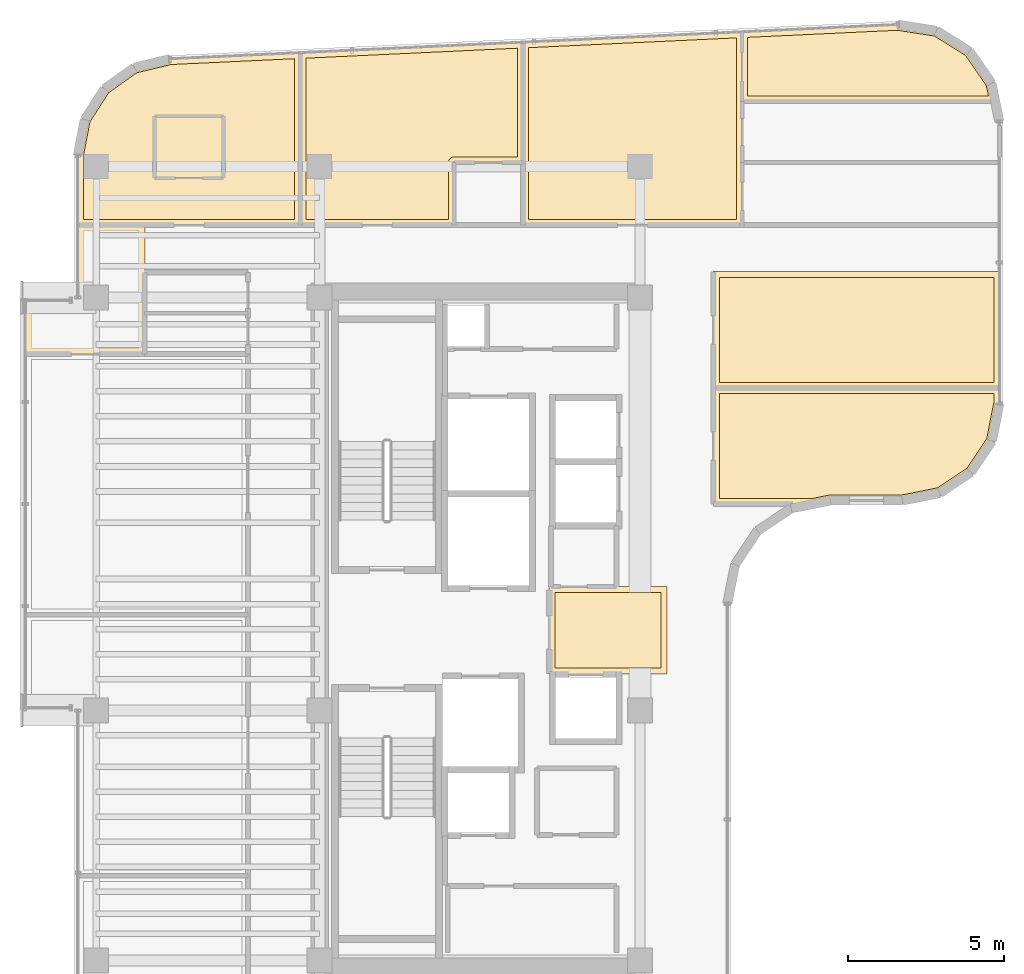
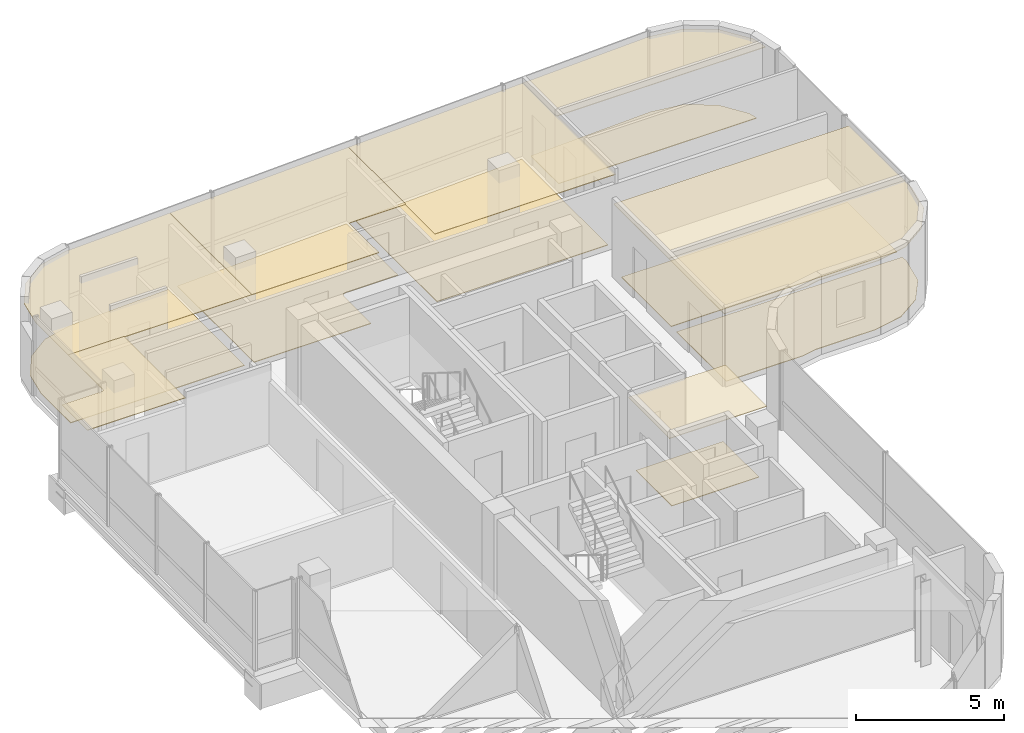
# One storey, part 18 of 18: 15 coverings.
"""IFC4 building model written with IfcOpenShell, lengths in metres."""

from ifc_helpers import new_model, si_unit, direction, frame, origin, place, context, subcontext, project, spatial, polyline, outline, extrude, material, layer, layer_set, type_object, element, save


model = new_model("IFC4")

# Units and contexts
model_context = context("Model", 3, precision=1e-05, world=origin(), true_north=direction((0.0, 1.0)))
body_context = subcontext(model_context, "Body", "Model", "MODEL_VIEW")
ifc_project = project(units=[si_unit("LENGTHUNIT", "METRE"), si_unit("AREAUNIT", "SQUARE_METRE"), si_unit("VOLUMEUNIT", "CUBIC_METRE"), si_unit("PLANEANGLEUNIT", "RADIAN"), si_unit("MASSUNIT", "GRAM", prefix="KILO")], contexts=[model_context])

# Site, building, storey
site_placement = place(None, origin())
site = spatial("IfcSite", under=ifc_project, at=site_placement, CompositionType="ELEMENT")
building_placement = place(site_placement, origin())
building = spatial("IfcBuilding", under=site, at=building_placement, Name="Valdorenza Pilgrim Sanctuary Tower", CompositionType="ELEMENT")
storey_placement = place(building_placement, frame((0.0, 0.0, 247.5)))
storey = spatial("IfcBuildingStorey", under=building, at=storey_placement, Name="L64", CompositionType="ELEMENT", Elevation=247.5)

# Coverings
ifc_material_1 = material(Name="Micro-perforated acoustic mineral ceiling tile", Category="gypsum")
ifc_layer_1 = layer(ifc_material_1, 0.02490234375, Name="Micro-perforated acoustic mineral ceiling tile")
ifc_layer_set_1 = layer_set([ifc_layer_1], Name="Micro-perforated acoustic mineral ceiling tile")
covering_type_1 = type_object("IfcCoveringType", Name="COV-CLG-ACU", PredefinedType="CEILING", material=ifc_layer_set_1)
covering_1_placement = place(storey_placement, frame((0.0, 0.0, 2.9599609375)))
element("IfcCovering", 1, at=covering_1_placement, inside=storey, type_object=covering_type_1, Name="L64 Core A Passenger Lift Lobby Acoustic Ceiling", PredefinedType="CEILING", context=body_context, shape_type="SweptSolid", body=[
    extrude(outline(polyline([(-15.31494140625, 1.35009765625), (-15.31494140625, 1.3515625), (-15.314697265625, 1.352783203125), (-15.314453125, 1.3544921875), (-15.31396484375, 1.355712890625), (-15.313232421875, 1.357177734375), (-15.3125, 1.3583984375), (-15.3115234375, 1.359619140625), (-15.310546875, 1.360595703125), (-15.3095703125, 1.361572265625), (-15.308349609375, 1.362548828125), (-15.30712890625, 1.36328125), (-15.3056640625, 1.364013671875), (-15.304443359375, 1.364501953125), (-15.302978515625, 1.36474609375), (-15.301513671875, 1.364990234375), (-15.300048828125, 1.364990234375), (-11.550048828125, 1.364990234375), (-11.548583984375, 1.364990234375), (-11.547119140625, 1.36474609375), (-11.545654296875, 1.364501953125), (-11.544189453125, 1.364013671875), (-11.54296875, 1.36328125), (-11.541748046875, 1.362548828125), (-11.54052734375, 1.361572265625), (-11.539306640625, 1.360595703125), (-11.538330078125, 1.359619140625), (-11.53759765625, 1.3583984375), (-11.536865234375, 1.357177734375), (-11.5361328125, 1.355712890625), (-11.53564453125, 1.3544921875), (-11.535400390625, 1.352783203125), (-11.53515625, 1.3515625), (-11.534912109375, 1.35009765625), (-11.534912109375, -1.419921875), (-11.53515625, -1.42138671875), (-11.535400390625, -1.4228515625), (-11.53564453125, -1.42431640625), (-11.5361328125, -1.42578125), (-11.536865234375, -1.427001953125), (-11.53759765625, -1.42822265625), (-11.538330078125, -1.429443359375), (-11.539306640625, -1.4306640625), (-11.54052734375, -1.431640625), (-11.541748046875, -1.4326171875), (-11.54296875, -1.43310546875), (-11.544189453125, -1.433837890625), (-11.545654296875, -1.434326171875), (-11.547119140625, -1.434814453125), (-11.548583984375, -1.434814453125), (-11.550048828125, -1.43505859375), (-15.298095703125, -1.43505859375), (-15.299560546875, -1.434814453125), (-15.30078125, -1.434814453125), (-15.302490234375, -1.434326171875), (-15.3037109375, -1.433837890625), (-15.30517578125, -1.43310546875), (-15.306396484375, -1.4326171875), (-15.3076171875, -1.431640625), (-15.30859375, -1.4306640625), (-15.3095703125, -1.429443359375), (-15.310546875, -1.42822265625), (-15.311279296875, -1.427001953125), (-15.31201171875, -1.42578125), (-15.3125, -1.42431640625), (-15.312744140625, -1.4228515625), (-15.31298828125, -1.42138671875), (-15.31298828125, -1.419921875), (-15.31298828125, 1.244384765625), (-15.31298828125, 1.24462890625), (-15.313720703125, 1.24609375), (-15.314208984375, 1.24755859375), (-15.314697265625, 1.2490234375), (-15.31494140625, 1.25048828125), (-15.31494140625, 1.251953125), (-15.31494140625, 1.35009765625)])), origin(), (0.0, 0.0, 1.0), 0.025146484375),
])
covering_2_placement = place(storey_placement, frame((0.0, 0.0, 2.9599609375)))
element("IfcCovering", 2, at=covering_2_placement, inside=storey, type_object=covering_type_1, Name="L64 Pilgrim Scholar Office L64-WN Acoustic Ceiling", PredefinedType="CEILING", context=body_context, shape_type="SweptSolid", body=[
    extrude(outline(polyline([(-28.237060546875, 11.39453125), (-28.237060546875, 10.103759765625), (-28.23681640625, 10.10302734375), (-28.23681640625, 10.1015625), (-28.23681640625, 10.10009765625), (-28.23681640625, 10.098388671875), (-28.237060546875, 10.09814453125), (-28.237060546875, 8.800048828125), (-28.237060546875, 8.798583984375), (-28.2373046875, 8.797119140625), (-28.237548828125, 8.795654296875), (-28.238037109375, 8.794189453125), (-28.23876953125, 8.79296875), (-28.239501953125, 8.791748046875), (-28.240478515625, 8.79052734375), (-28.241455078125, 8.789306640625), (-28.242431640625, 8.788330078125), (-28.24365234375, 8.78759765625), (-28.244873046875, 8.786865234375), (-28.246337890625, 8.7861328125), (-28.24755859375, 8.78564453125), (-28.2490234375, 8.785400390625), (-28.25048828125, 8.78515625), (-28.251953125, 8.784912109375), (-32.0400390625, 8.784912109375), (-32.04150390625, 8.78515625), (-32.04296875, 8.785400390625), (-32.04443359375, 8.78564453125), (-32.045654296875, 8.7861328125), (-32.047119140625, 8.786865234375), (-32.04833984375, 8.78759765625), (-32.049560546875, 8.788330078125), (-32.050537109375, 8.789306640625), (-32.051513671875, 8.79052734375), (-32.052490234375, 8.791748046875), (-32.05322265625, 8.79296875), (-32.053955078125, 8.794189453125), (-32.054443359375, 8.795654296875), (-32.0546875, 8.797119140625), (-32.054931640625, 8.798583984375), (-32.054931640625, 8.800048828125), (-32.054931640625, 10.489990234375), (-32.054931640625, 10.491455078125), (-32.0546875, 10.492919921875), (-32.054443359375, 10.494384765625), (-32.053955078125, 10.49560546875), (-32.05322265625, 10.4970703125), (-32.052490234375, 10.498291015625), (-32.051513671875, 10.49951171875), (-32.050537109375, 10.50048828125), (-32.049560546875, 10.501708984375), (-32.04833984375, 10.50244140625), (-32.047119140625, 10.503173828125), (-32.045654296875, 10.50390625), (-32.04443359375, 10.50439453125), (-32.04296875, 10.504638671875), (-32.04150390625, 10.5048828125), (-32.0400390625, 10.5048828125), (-30.50048828125, 10.5048828125), (-30.49072265625, 10.505615234375), (-30.4814453125, 10.5068359375), (-30.472412109375, 10.509033203125), (-30.463623046875, 10.51220703125), (-30.455078125, 10.51611328125), (-30.447265625, 10.52099609375), (-30.439697265625, 10.526611328125), (-30.432861328125, 10.53271484375), (-30.426513671875, 10.539794921875), (-30.4208984375, 10.547119140625), (-30.416259765625, 10.55517578125), (-30.412109375, 10.563720703125), (-30.4091796875, 10.572509765625), (-30.40673828125, 10.58154296875), (-30.405517578125, 10.5908203125), (-30.405029296875, 10.600341796875), (-30.405029296875, 12.919921875), (-30.40478515625, 12.92138671875), (-30.40478515625, 12.9228515625), (-30.404296875, 12.92431640625), (-30.40380859375, 12.92578125), (-30.4033203125, 12.927001953125), (-30.402587890625, 12.92822265625), (-30.401611328125, 12.929443359375), (-30.400634765625, 12.9306640625), (-30.3994140625, 12.931640625), (-30.398193359375, 12.9326171875), (-30.397216796875, 12.93310546875), (-30.395751953125, 12.933837890625), (-30.394287109375, 12.934326171875), (-30.392822265625, 12.934814453125), (-30.3916015625, 12.934814453125), (-30.389892578125, 12.93505859375), (-28.25, 12.93505859375), (-28.24853515625, 12.934814453125), (-28.2470703125, 12.934814453125), (-28.24560546875, 12.934326171875), (-28.244384765625, 12.933837890625), (-28.242919921875, 12.93310546875), (-28.24169921875, 12.9326171875), (-28.240478515625, 12.931640625), (-28.239501953125, 12.9306640625), (-28.23828125, 12.929443359375), (-28.237548828125, 12.92822265625), (-28.23681640625, 12.927001953125), (-28.236083984375, 12.92578125), (-28.235595703125, 12.92431640625), (-28.2353515625, 12.9228515625), (-28.235107421875, 12.92138671875), (-28.235107421875, 12.919921875), (-28.235107421875, 11.402099609375), (-28.235107421875, 11.400390625), (-28.2353515625, 11.39892578125), (-28.235595703125, 11.3974609375), (-28.236083984375, 11.39599609375), (-28.23681640625, 11.394775390625), (-28.237060546875, 11.39453125)])), origin(), (0.0, 0.0, 1.0), 0.025146484375),
])
covering_3_placement = place(storey_placement, frame((0.0, 0.0, 2.9599609375)))
element("IfcCovering", 3, at=covering_3_placement, inside=storey, type_object=covering_type_1, Name="L64 North Sanctuary Guest Room L64-N1A Acoustic Ceiling", PredefinedType="CEILING", context=body_context, shape_type="SweptSolid", body=[
    extrude(outline(polyline([(-30.181396484375, 16.298095703125), (-30.180908203125, 16.299560546875), (-30.180419921875, 16.30078125), (-30.179931640625, 16.30224609375), (-30.17919921875, 16.303466796875), (-29.547119140625, 17.286865234375), (-29.546142578125, 17.2880859375), (-29.545166015625, 17.2890625), (-29.544189453125, 17.2900390625), (-29.54296875, 17.291015625), (-28.59033203125, 17.968994140625), (-28.589111328125, 17.9697265625), (-28.587890625, 17.97021484375), (-28.586669921875, 17.970947265625), (-28.585205078125, 17.97119140625), (-27.438720703125, 18.248779296875), (-27.437255859375, 18.249267578125), (-27.435791015625, 18.249267578125), (-23.270751953125, 18.445556640625), (-23.269287109375, 18.445556640625), (-23.267578125, 18.445556640625), (-23.26611328125, 18.4453125), (-23.264892578125, 18.444580078125), (-23.263427734375, 18.444091796875), (-23.261962890625, 18.443359375), (-23.2607421875, 18.4423828125), (-23.259521484375, 18.44140625), (-23.258544921875, 18.4404296875), (-23.2578125, 18.439208984375), (-23.2568359375, 18.43798828125), (-23.256103515625, 18.4365234375), (-23.255615234375, 18.43505859375), (-23.25537109375, 18.43359375), (-23.255126953125, 18.43212890625), (-23.2548828125, 18.4306640625), (-23.2548828125, 12.919921875), (-23.255126953125, 12.91845703125), (-23.25537109375, 12.9169921875), (-23.255615234375, 12.91552734375), (-23.256103515625, 12.914306640625), (-23.2568359375, 12.912841796875), (-23.257568359375, 12.91162109375), (-23.25830078125, 12.910400390625), (-23.259521484375, 12.909423828125), (-23.260498046875, 12.908447265625), (-23.26171875, 12.907470703125), (-23.262939453125, 12.90673828125), (-23.264404296875, 12.906005859375), (-23.265625, 12.905517578125), (-23.26708984375, 12.9052734375), (-23.2685546875, 12.905029296875), (-23.27001953125, 12.905029296875), (-28.248046875, 12.905029296875), (-28.24951171875, 12.905029296875), (-28.250732421875, 12.9052734375), (-28.252197265625, 12.905517578125), (-28.253662109375, 12.906005859375), (-28.2548828125, 12.90673828125), (-28.25537109375, 12.906982421875), (-30.389892578125, 12.906982421875), (-30.3916015625, 12.906982421875), (-30.392822265625, 12.9072265625), (-30.394287109375, 12.90771484375), (-30.395751953125, 12.908203125), (-30.397216796875, 12.90869140625), (-30.398193359375, 12.909423828125), (-30.3994140625, 12.910400390625), (-30.400634765625, 12.911376953125), (-30.401611328125, 12.91259765625), (-30.402587890625, 12.913818359375), (-30.4033203125, 12.914794921875), (-30.40380859375, 12.916259765625), (-30.404296875, 12.91748046875), (-30.40478515625, 12.919189453125), (-30.40478515625, 12.92041015625), (-30.405029296875, 12.922119140625), (-30.405029296875, 15.13671875), (-30.40478515625, 15.13818359375), (-30.40478515625, 15.1396484375), (-30.181396484375, 16.298095703125)])), origin(), (0.0, 0.0, 1.0), 0.025146484375),
])
covering_4_placement = place(storey_placement, frame((0.0, 0.0, 2.9599609375)))
element("IfcCovering", 4, at=covering_4_placement, inside=storey, type_object=covering_type_1, Name="L64 North Sanctuary Guest Room L64-N1B Acoustic Ceiling", PredefinedType="CEILING", context=body_context, shape_type="SweptSolid", body=[
    extrude(outline(polyline([(-23.282958984375, 18.4306640625), (-23.282958984375, 18.431396484375), (-23.28271484375, 18.432861328125), (-23.28271484375, 18.434326171875), (-23.281982421875, 18.435791015625), (-23.281494140625, 18.437255859375), (-23.281005859375, 18.4384765625), (-23.280029296875, 18.439697265625), (-23.279052734375, 18.44091796875), (-23.278076171875, 18.44189453125), (-23.27685546875, 18.44287109375), (-23.275634765625, 18.443603515625), (-23.2744140625, 18.4443359375), (-23.27294921875, 18.44482421875), (-23.271484375, 18.4453125), (-23.270263671875, 18.445556640625), (-23.268798828125, 18.44580078125), (-16.15087890625, 18.78125), (-16.150146484375, 18.78125), (-16.14990234375, 18.78125), (-16.1484375, 18.78125), (-16.147216796875, 18.781005859375), (-16.1455078125, 18.78076171875), (-16.144287109375, 18.7802734375), (-16.142822265625, 18.779541015625), (-16.1416015625, 18.77880859375), (-16.140380859375, 18.77783203125), (-16.139404296875, 18.77685546875), (-16.138427734375, 18.77587890625), (-16.137451171875, 18.774658203125), (-16.13671875, 18.7734375), (-16.135986328125, 18.77197265625), (-16.135498046875, 18.770751953125), (-16.13525390625, 18.769287109375), (-16.135009765625, 18.767822265625), (-16.135009765625, 18.766357421875), (-16.135009765625, 14.922119140625), (-16.135009765625, 14.92041015625), (-16.13525390625, 14.919189453125), (-16.135498046875, 14.91748046875), (-16.135986328125, 14.916259765625), (-16.13671875, 14.914794921875), (-16.137451171875, 14.913818359375), (-16.138427734375, 14.91259765625), (-16.139404296875, 14.911376953125), (-16.140380859375, 14.910400390625), (-16.1416015625, 14.909423828125), (-16.142822265625, 14.90869140625), (-16.144287109375, 14.908203125), (-16.1455078125, 14.90771484375), (-16.147216796875, 14.9072265625), (-16.1484375, 14.906982421875), (-16.14990234375, 14.906982421875), (-18.3369140625, 14.906982421875), (-18.3369140625, 12.919921875), (-18.337158203125, 12.91845703125), (-18.33740234375, 12.9169921875), (-18.337646484375, 12.91552734375), (-18.338134765625, 12.914306640625), (-18.3388671875, 12.912841796875), (-18.339599609375, 12.91162109375), (-18.34033203125, 12.910400390625), (-18.34130859375, 12.909423828125), (-18.342529296875, 12.908447265625), (-18.34375, 12.907470703125), (-18.344970703125, 12.90673828125), (-18.34619140625, 12.906005859375), (-18.34765625, 12.905517578125), (-18.34912109375, 12.9052734375), (-18.3505859375, 12.905029296875), (-18.35205078125, 12.905029296875), (-23.26806640625, 12.905029296875), (-23.26953125, 12.905029296875), (-23.27099609375, 12.9052734375), (-23.2724609375, 12.905517578125), (-23.273681640625, 12.906005859375), (-23.275146484375, 12.90673828125), (-23.2763671875, 12.907470703125), (-23.277587890625, 12.908447265625), (-23.278564453125, 12.909423828125), (-23.279541015625, 12.910400390625), (-23.280517578125, 12.91162109375), (-23.28125, 12.912841796875), (-23.281982421875, 12.914306640625), (-23.282470703125, 12.91552734375), (-23.28271484375, 12.9169921875), (-23.282958984375, 12.91845703125), (-23.282958984375, 12.919921875), (-23.282958984375, 18.4306640625), (-23.282958984375, 18.4306640625)])), origin(), (0.0, 0.0, 1.0), 0.025146484375),
])
covering_5_placement = place(storey_placement, frame((0.0, 0.0, 2.9599609375)))
element("IfcCovering", 5, at=covering_5_placement, inside=storey, type_object=covering_type_1, Name="L64 North Sanctuary Apartment L64-N2 Bedroom Acoustic Ceiling", PredefinedType="CEILING", context=body_context, shape_type="SweptSolid", body=[
    extrude(outline(polyline([(-9.154541015625, 19.0966796875), (-9.154541015625, 19.09814453125), (-9.154296875, 19.099609375), (-9.154052734375, 19.10107421875), (-9.153564453125, 19.102294921875), (-9.15283203125, 19.103759765625), (-9.152099609375, 19.10498046875), (-9.1513671875, 19.106201171875), (-9.150390625, 19.107177734375), (-9.1494140625, 19.108154296875), (-9.148193359375, 19.10888671875), (-9.147216796875, 19.10986328125), (-9.145751953125, 19.1103515625), (-9.14453125, 19.111083984375), (-9.14306640625, 19.111328125), (-9.1416015625, 19.111572265625), (-9.140380859375, 19.11181640625), (-4.157470703125, 19.3466796875), (-4.156005859375, 19.3466796875), (-4.154296875, 19.346435546875), (-2.91748046875, 19.153076171875), (-2.916015625, 19.152587890625), (-2.91455078125, 19.15234375), (-2.9130859375, 19.151611328125), (-2.911865234375, 19.15087890625), (-1.860595703125, 18.492431640625), (-1.859619140625, 18.49169921875), (-1.8583984375, 18.490478515625), (-1.857421875, 18.489501953125), (-1.8564453125, 18.48828125), (-1.149169921875, 17.46923828125), (-1.148193359375, 17.468017578125), (-1.147705078125, 17.466552734375), (-1.147216796875, 17.465087890625), (-1.146728515625, 17.463623046875), (-1.025634765625, 16.873046875), (-1.025390625, 16.87158203125), (-1.025390625, 16.8701171875), (-1.025390625, 16.86865234375), (-1.025634765625, 16.8671875), (-1.02587890625, 16.86572265625), (-1.0263671875, 16.8642578125), (-1.027099609375, 16.863037109375), (-1.02783203125, 16.86181640625), (-1.02880859375, 16.860595703125), (-1.02978515625, 16.859375), (-1.03076171875, 16.8583984375), (-1.031982421875, 16.857421875), (-1.033203125, 16.856689453125), (-1.03466796875, 16.856201171875), (-1.035888671875, 16.855712890625), (-1.037353515625, 16.855224609375), (-1.038818359375, 16.85498046875), (-1.040283203125, 16.85498046875), (-9.1396484375, 16.85498046875), (-9.14111328125, 16.85498046875), (-9.142578125, 16.855224609375), (-9.14404296875, 16.855712890625), (-9.145263671875, 16.856201171875), (-9.146728515625, 16.856689453125), (-9.14794921875, 16.857421875), (-9.149169921875, 16.8583984375), (-9.150146484375, 16.859375), (-9.151123046875, 16.860595703125), (-9.152099609375, 16.86181640625), (-9.15283203125, 16.86279296875), (-9.153564453125, 16.8642578125), (-9.154052734375, 16.865478515625), (-9.154296875, 16.8671875), (-9.154541015625, 16.868408203125), (-9.154541015625, 16.8701171875), (-9.154541015625, 19.0966796875)])), origin(), (0.0, 0.0, 1.0), 0.025146484375),
])
covering_6_placement = place(storey_placement, frame((0.0, 0.0, 2.9599609375)))
element("IfcCovering", 6, at=covering_6_placement, inside=storey, type_object=covering_type_1, Name="L64 North Sanctuary Apartment L64-N2 Living Room Acoustic Ceiling", PredefinedType="CEILING", context=body_context, shape_type="SweptSolid", body=[
    extrude(outline(polyline([(-16.1630859375, 14.918212890625), (-16.1630859375, 14.9189453125), (-16.163330078125, 14.92041015625), (-16.1630859375, 14.922119140625), (-16.1630859375, 14.923583984375), (-16.1630859375, 14.923828125), (-16.1630859375, 18.766357421875), (-16.1630859375, 18.766357421875), (-16.1630859375, 18.76708984375), (-16.162841796875, 18.7685546875), (-16.16259765625, 18.77001953125), (-16.162109375, 18.771484375), (-16.16162109375, 18.772705078125), (-16.160888671875, 18.774169921875), (-16.159912109375, 18.775390625), (-16.1591796875, 18.776611328125), (-16.158203125, 18.777587890625), (-16.156982421875, 18.778564453125), (-16.15576171875, 18.779296875), (-16.154296875, 18.780029296875), (-16.153076171875, 18.780517578125), (-16.151611328125, 18.781005859375), (-16.150146484375, 18.78125), (-16.148681640625, 18.781494140625), (-9.142333984375, 19.11181640625), (-9.140869140625, 19.11181640625), (-9.139404296875, 19.111572265625), (-9.1376953125, 19.111083984375), (-9.136474609375, 19.11083984375), (-9.135009765625, 19.110107421875), (-9.133544921875, 19.109375), (-9.13232421875, 19.1083984375), (-9.131103515625, 19.107666015625), (-9.130126953125, 19.1064453125), (-9.12939453125, 19.105224609375), (-9.12841796875, 19.10400390625), (-9.127685546875, 19.1025390625), (-9.127197265625, 19.101318359375), (-9.126953125, 19.099609375), (-9.126708984375, 19.09814453125), (-9.126708984375, 19.0966796875), (-9.126708984375, 16.87548828125), (-9.126220703125, 16.875), (-9.125732421875, 16.87353515625), (-9.125244140625, 16.872314453125), (-9.125, 16.870849609375), (-9.124755859375, 16.869384765625), (-9.12451171875, 16.867919921875), (-9.12451171875, 12.919921875), (-9.124755859375, 12.91845703125), (-9.125, 12.9169921875), (-9.125244140625, 12.91552734375), (-9.125732421875, 12.914306640625), (-9.12646484375, 12.912841796875), (-9.127197265625, 12.91162109375), (-9.1279296875, 12.910400390625), (-9.12890625, 12.909423828125), (-9.130126953125, 12.908447265625), (-9.13134765625, 12.907470703125), (-9.132568359375, 12.90673828125), (-9.1337890625, 12.906005859375), (-9.13525390625, 12.905517578125), (-9.13671875, 12.9052734375), (-9.13818359375, 12.905029296875), (-9.1396484375, 12.905029296875), (-16.14794921875, 12.905029296875), (-16.1494140625, 12.905029296875), (-16.15087890625, 12.9052734375), (-16.15234375, 12.905517578125), (-16.15380859375, 12.906005859375), (-16.155029296875, 12.90673828125), (-16.15625, 12.907470703125), (-16.157470703125, 12.908447265625), (-16.15869140625, 12.909423828125), (-16.15966796875, 12.910400390625), (-16.160400390625, 12.91162109375), (-16.1611328125, 12.912841796875), (-16.161865234375, 12.914306640625), (-16.162353515625, 12.91552734375), (-16.16259765625, 12.9169921875), (-16.162841796875, 12.91845703125), (-16.1630859375, 12.919921875), (-16.1630859375, 14.918212890625)])), origin(), (0.0, 0.0, 1.0), 0.025146484375),
])
covering_7_placement = place(storey_placement, frame((0.0, 0.0, 2.9599609375)))
element("IfcCovering", 7, at=covering_7_placement, inside=storey, type_object=covering_type_1, Name="L64 Sacred Art Exhibition Gallery L64-E1 Acoustic Ceiling", PredefinedType="CEILING", context=body_context, shape_type="SweptSolid", body=[
    extrude(outline(polyline([(-10.06494140625, 7.7099609375), (-10.06494140625, 7.71142578125), (-10.064697265625, 7.712890625), (-10.064453125, 7.71435546875), (-10.06396484375, 7.7158203125), (-10.063232421875, 7.717041015625), (-10.0625, 7.71826171875), (-10.0615234375, 7.719482421875), (-10.060546875, 7.720703125), (-10.0595703125, 7.7216796875), (-10.058349609375, 7.722412109375), (-10.05712890625, 7.72314453125), (-10.0556640625, 7.723876953125), (-10.054443359375, 7.724365234375), (-10.052978515625, 7.724609375), (-10.051513671875, 7.724853515625), (-10.050048828125, 7.72509765625), (-0.909912109375, 7.72509765625), (-0.908447265625, 7.724853515625), (-0.906982421875, 7.724609375), (-0.905517578125, 7.724365234375), (-0.904296875, 7.723876953125), (-0.90283203125, 7.72314453125), (-0.901611328125, 7.722412109375), (-0.900390625, 7.7216796875), (-0.8994140625, 7.720703125), (-0.8984375, 7.719482421875), (-0.8974609375, 7.71826171875), (-0.896728515625, 7.717041015625), (-0.89599609375, 7.7158203125), (-0.8955078125, 7.71435546875), (-0.895263671875, 7.712890625), (-0.89501953125, 7.71142578125), (-0.89501953125, 7.7099609375), (-0.89501953125, 7.210693359375), (-0.89501953125, 7.20947265625), (-0.895263671875, 7.2080078125), (-1.132568359375, 6.015380859375), (-1.1328125, 6.013916015625), (-1.13330078125, 6.0126953125), (-1.134033203125, 6.01123046875), (-1.134765625, 6.010009765625), (-1.80419921875, 5.00830078125), (-1.804931640625, 5.007080078125), (-1.805908203125, 5.006103515625), (-1.80712890625, 5.0048828125), (-1.808349609375, 5.004150390625), (-2.81005859375, 4.334716796875), (-2.811279296875, 4.333984375), (-2.8125, 4.33349609375), (-2.81396484375, 4.3330078125), (-2.8154296875, 4.33251953125), (-4.0078125, 4.09521484375), (-4.009521484375, 4.09521484375), (-4.0107421875, 4.094970703125), (-6.299560546875, 4.094970703125), (-6.309326171875, 4.094482421875), (-6.31884765625, 4.093017578125), (-6.86083984375, 3.9853515625), (-6.8623046875, 3.985107421875), (-6.86376953125, 3.985107421875), (-10.050048828125, 3.985107421875), (-10.051513671875, 3.985107421875), (-10.052978515625, 3.9853515625), (-10.054443359375, 3.985595703125), (-10.0556640625, 3.986083984375), (-10.05712890625, 3.98681640625), (-10.058349609375, 3.987548828125), (-10.0595703125, 3.98828125), (-10.060546875, 3.989501953125), (-10.0615234375, 3.990478515625), (-10.0625, 3.99169921875), (-10.063232421875, 3.992919921875), (-10.06396484375, 3.994384765625), (-10.064453125, 3.99560546875), (-10.064697265625, 3.9970703125), (-10.06494140625, 3.99853515625), (-10.06494140625, 4.0), (-10.06494140625, 7.7099609375)])), origin(), (0.0, 0.0, 1.0), 0.025146484375),
])
covering_8_placement = place(storey_placement, frame((0.0, 0.0, 2.9599609375)))
element("IfcCovering", 8, at=covering_8_placement, inside=storey, type_object=covering_type_1, Name="L64 Sacred Art Exhibition Gallery L64-E2 Acoustic Ceiling", PredefinedType="CEILING", context=body_context, shape_type="SweptSolid", body=[
    extrude(outline(polyline([(-10.06494140625, 11.419921875), (-10.06494140625, 11.42138671875), (-10.064697265625, 11.4228515625), (-10.064453125, 11.42431640625), (-10.06396484375, 11.42578125), (-10.063232421875, 11.427001953125), (-10.0625, 11.42822265625), (-10.0615234375, 11.429443359375), (-10.060546875, 11.4306640625), (-10.0595703125, 11.431640625), (-10.058349609375, 11.4326171875), (-10.05712890625, 11.43310546875), (-10.0556640625, 11.433837890625), (-10.054443359375, 11.434326171875), (-10.052978515625, 11.434814453125), (-10.051513671875, 11.434814453125), (-10.050048828125, 11.43505859375), (-0.909912109375, 11.43505859375), (-0.908447265625, 11.434814453125), (-0.906982421875, 11.434814453125), (-0.905517578125, 11.434326171875), (-0.904296875, 11.433837890625), (-0.90283203125, 11.43310546875), (-0.901611328125, 11.4326171875), (-0.900390625, 11.431640625), (-0.8994140625, 11.4306640625), (-0.8984375, 11.429443359375), (-0.8974609375, 11.42822265625), (-0.896728515625, 11.427001953125), (-0.89599609375, 11.42578125), (-0.8955078125, 11.42431640625), (-0.895263671875, 11.4228515625), (-0.89501953125, 11.42138671875), (-0.89501953125, 11.419921875), (-0.89501953125, 7.7119140625), (-0.89501953125, 7.71044921875), (-0.895263671875, 7.708984375), (-0.8955078125, 7.70751953125), (-0.89599609375, 7.706298828125), (-0.896728515625, 7.704833984375), (-0.8974609375, 7.70361328125), (-0.8984375, 7.702392578125), (-0.8994140625, 7.701416015625), (-0.900390625, 7.700439453125), (-0.901611328125, 7.699462890625), (-0.90283203125, 7.69873046875), (-0.904296875, 7.697998046875), (-0.905517578125, 7.697509765625), (-0.906982421875, 7.697265625), (-0.908447265625, 7.697021484375), (-0.909912109375, 7.697021484375), (-10.050048828125, 7.697021484375), (-10.051513671875, 7.697021484375), (-10.052978515625, 7.697265625), (-10.054443359375, 7.697509765625), (-10.0556640625, 7.697998046875), (-10.05712890625, 7.69873046875), (-10.058349609375, 7.699462890625), (-10.0595703125, 7.700439453125), (-10.060546875, 7.701416015625), (-10.0615234375, 7.702392578125), (-10.0625, 7.70361328125), (-10.063232421875, 7.704833984375), (-10.06396484375, 7.706298828125), (-10.064453125, 7.70751953125), (-10.064697265625, 7.708984375), (-10.06494140625, 7.71044921875), (-10.06494140625, 7.7119140625), (-10.06494140625, 11.419921875)])), origin(), (0.0, 0.0, 1.0), 0.025146484375),
])
ifc_material_2 = material(Name="Engineered European oak timber flooring", Category="wood")
ifc_layer_2 = layer(ifc_material_2, 0.02197265625, Name="Engineered European oak timber flooring")
ifc_layer_set_2 = layer_set([ifc_layer_2], Name="Engineered European oak timber flooring")
covering_type_2 = type_object("IfcCoveringType", Name="COV-FLR-OAK", PredefinedType="FLOORING", material=ifc_layer_set_2)
covering_9_placement = place(storey_placement, origin())
element("IfcCovering", 9, at=covering_9_placement, inside=storey, type_object=covering_type_2, Name="L64 North Sanctuary Guest Room L64-N1A Flooring", PredefinedType="FLOORING", context=body_context, shape_type="SweptSolid", body=[
    extrude(outline(polyline([(-29.996337890625, 16.227294921875), (-29.401611328125, 17.152099609375), (-28.505615234375, 17.789794921875), (-27.409423828125, 18.055419921875), (-23.449951171875, 18.241943359375), (-23.449951171875, 13.10009765625), (-28.22314453125, 13.10009765625), (-28.22314453125, 13.10009765625), (-28.223388671875, 13.10009765625), (-28.240966796875, 13.101806640625), (-28.2412109375, 13.101806640625), (-28.25, 13.10205078125), (-30.2099609375, 13.10205078125), (-30.2099609375, 15.11962890625), (-29.996337890625, 16.227294921875)])), origin(), (0.0, 0.0, 1.0), 0.02490234375),
])
covering_10_placement = place(storey_placement, origin())
element("IfcCovering", 10, at=covering_10_placement, inside=storey, type_object=covering_type_2, Name="L64 North Sanctuary Guest Room L64-N1B Flooring", PredefinedType="FLOORING", context=body_context, shape_type="SweptSolid", body=[
    extrude(outline(polyline([(-16.330078125, 18.57763671875), (-16.330078125, 15.10205078125), (-18.35009765625, 15.10205078125), (-18.35888671875, 15.101806640625), (-18.35888671875, 15.101806640625), (-18.376708984375, 15.10009765625), (-18.376708984375, 15.10009765625), (-18.39404296875, 15.0966796875), (-18.394287109375, 15.096435546875), (-18.4111328125, 15.09130859375), (-18.411376953125, 15.09130859375), (-18.427734375, 15.084716796875), (-18.427978515625, 15.08447265625), (-18.443603515625, 15.076171875), (-18.443603515625, 15.076171875), (-18.458251953125, 15.066162109375), (-18.45849609375, 15.066162109375), (-18.47216796875, 15.054931640625), (-18.472412109375, 15.0546875), (-18.48486328125, 15.042236328125), (-18.48486328125, 15.0419921875), (-18.49609375, 15.028564453125), (-18.49609375, 15.0283203125), (-18.506103515625, 15.013671875), (-18.506103515625, 15.013427734375), (-18.514404296875, 14.997802734375), (-18.5146484375, 14.997802734375), (-18.521240234375, 14.9814453125), (-18.521484375, 14.981201171875), (-18.526611328125, 14.96435546875), (-18.526611328125, 14.964111328125), (-18.530029296875, 14.94677734375), (-18.530029296875, 14.946533203125), (-18.53173828125, 14.928955078125), (-18.53173828125, 14.9287109375), (-18.531982421875, 14.919921875), (-18.531982421875, 13.10009765625), (-23.087890625, 13.10009765625), (-23.087890625, 18.259033203125), (-16.330078125, 18.57763671875)])), origin(), (0.0, 0.0, 1.0), 0.02490234375),
])
covering_11_placement = place(storey_placement, origin())
element("IfcCovering", 11, at=covering_11_placement, inside=storey, type_object=covering_type_2, Name="L64 North Sanctuary Apartment L64-N2 Bedroom Flooring", PredefinedType="FLOORING", context=body_context, shape_type="SweptSolid", body=[
    extrude(outline(polyline([(-8.959716796875, 18.925048828125), (-4.16650390625, 19.15087890625), (-2.984130859375, 18.966064453125), (-1.99560546875, 18.3466796875), (-1.330322265625, 17.388427734375), (-1.260986328125, 17.050048828125), (-8.959716796875, 17.050048828125), (-8.959716796875, 18.925048828125)])), origin(), (0.0, 0.0, 1.0), 0.02490234375),
])
covering_12_placement = place(storey_placement, origin())
element("IfcCovering", 12, at=covering_12_placement, inside=storey, type_object=covering_type_2, Name="L64 North Sanctuary Apartment L64-N2 Living Room Flooring", PredefinedType="FLOORING", context=body_context, shape_type="SweptSolid", body=[
    extrude(outline(polyline([(-15.968017578125, 14.921630859375), (-15.968017578125, 14.922119140625), (-15.968017578125, 18.594482421875), (-9.321533203125, 18.907958984375), (-9.321533203125, 16.8701171875), (-9.319580078125, 13.10009765625), (-15.968017578125, 13.10009765625), (-15.968017578125, 14.919921875), (-15.968017578125, 14.9208984375), (-15.968017578125, 14.921630859375)])), origin(), (0.0, 0.0, 1.0), 0.02490234375),
])
ifc_material_3 = material(Name="Honed travertine stone flooring", Category="masonry")
ifc_layer_3 = layer(ifc_material_3, 0.030029296875, Name="Honed travertine stone flooring")
ifc_layer_set_3 = layer_set([ifc_layer_3], Name="Honed travertine stone flooring")
covering_type_3 = type_object("IfcCoveringType", Name="COV-FLR-TRV", PredefinedType="FLOORING", material=ifc_layer_set_3)
covering_13_placement = place(storey_placement, origin())
element("IfcCovering", 13, at=covering_13_placement, inside=storey, type_object=covering_type_3, Name="L64 Core A Passenger Lift Lobby Flooring", PredefinedType="FLOORING", context=body_context, shape_type="SweptSolid", body=[
    extrude(outline(polyline([(-15.117919921875, 1.169921875), (-11.72998046875, 1.169921875), (-11.72998046875, -1.239990234375), (-15.117919921875, -1.239990234375), (-15.117919921875, 1.169921875)])), origin(), (0.0, 0.0, 1.0), 0.02490234375),
])
covering_14_placement = place(storey_placement, origin())
element("IfcCovering", 14, at=covering_14_placement, inside=storey, type_object=covering_type_3, Name="L64 Sacred Art Exhibition Gallery L64-E1 Flooring", PredefinedType="FLOORING", context=body_context, shape_type="SweptSolid", body=[
    extrude(outline(polyline([(-9.8701171875, 7.530029296875), (-1.090087890625, 7.530029296875), (-1.090087890625, 7.228515625), (-1.31689453125, 6.088623046875), (-1.9462890625, 5.146484375), (-2.888671875, 4.516845703125), (-4.028564453125, 4.2900390625), (-6.300048828125, 4.2900390625), (-6.308837890625, 4.289794921875), (-6.319580078125, 4.289306640625), (-6.337158203125, 4.28759765625), (-6.347900390625, 4.285888671875), (-6.356689453125, 4.284423828125), (-6.881591796875, 4.179931640625), (-9.8701171875, 4.179931640625), (-9.8701171875, 7.530029296875)])), origin(), (0.0, 0.0, 1.0), 0.02490234375),
])
covering_15_placement = place(storey_placement, origin())
element("IfcCovering", 15, at=covering_15_placement, inside=storey, type_object=covering_type_3, Name="L64 Sacred Art Exhibition Gallery L64-E2 Flooring", PredefinedType="FLOORING", context=body_context, shape_type="SweptSolid", body=[
    extrude(outline(polyline([(-9.8701171875, 11.239990234375), (-1.090087890625, 11.239990234375), (-1.090087890625, 7.89208984375), (-9.8701171875, 7.89208984375), (-9.8701171875, 11.239990234375)])), origin(), (0.0, 0.0, 1.0), 0.02490234375),
])

save(model, "model.ifc")
